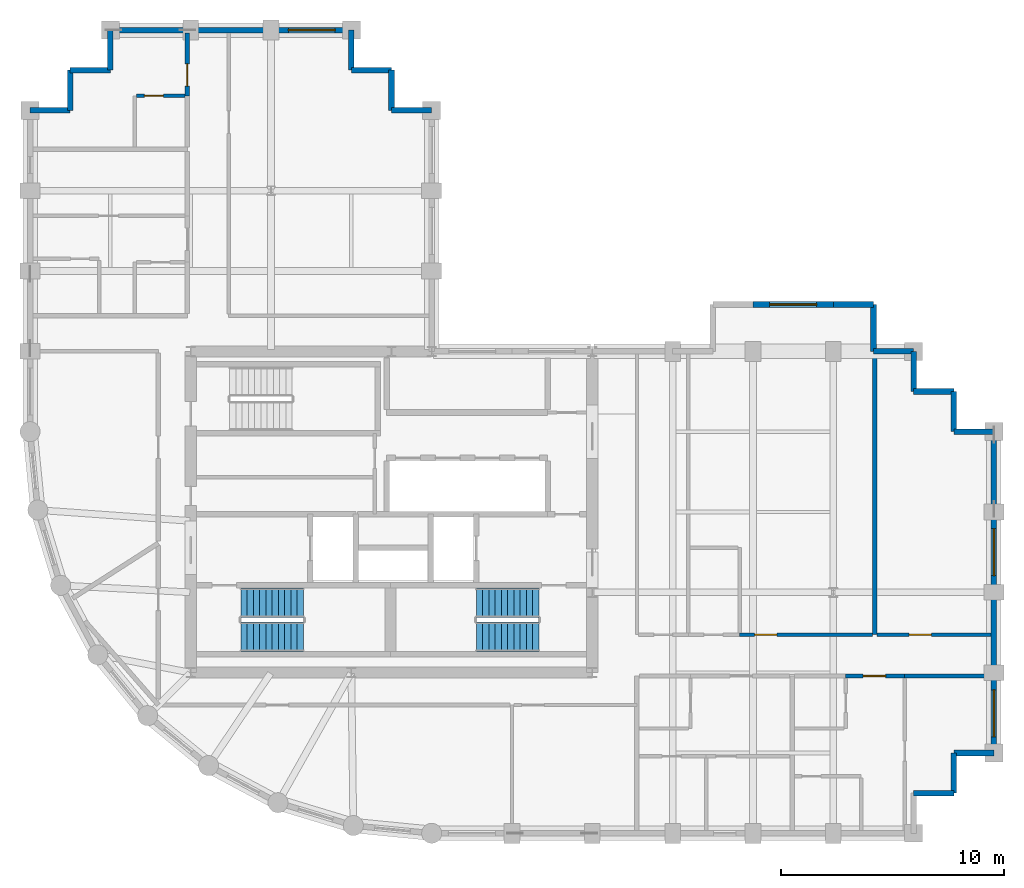
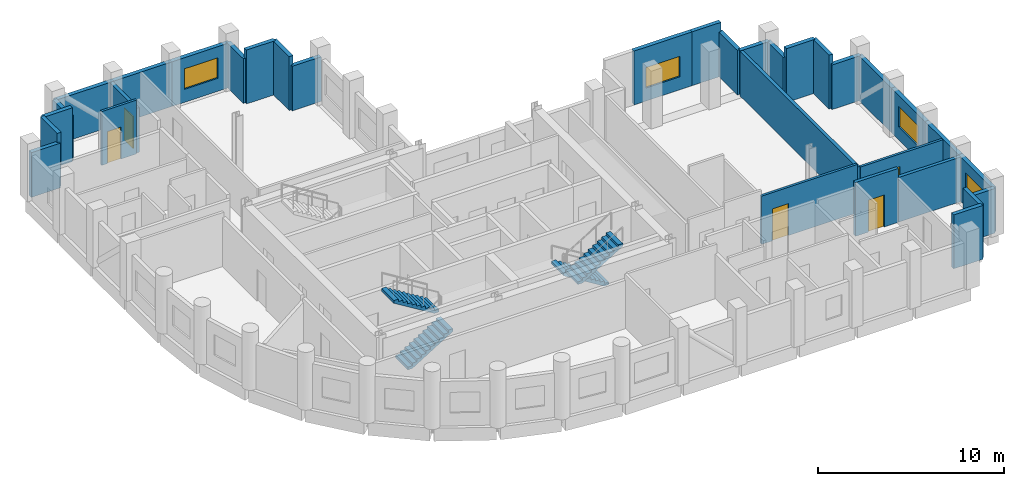
# One storey, part 6 of 8: 33 walls, 5 doors, 4 stair flights, 4 windows, 9 openings, 2 elements without a shape of their own.
"""IFC4 building model written with IfcOpenShell, lengths in metres."""

import ifcopenshell
import ifcopenshell.guid

model = None  # the IFC model being written
_history = None  # IfcOwnerHistory: only IFC2X3 demands one
_inside = {}  # id of a spatial element -> (the spatial element, [elements in it])
_under = {}  # id of a project, library or spatial element -> (it, [spatial elements below it])
_declared = {}  # id of a project -> (the project, [libraries it declares])
_typed = {}  # id of a type object -> (the type object, [elements of that type])
_made_of = {}  # id of a material, layer set ... -> (it, [elements and type objects made of it])


def new_model(schema):
    """Start an empty IFC model of exactly this schema.

    Asked for "IFC4X3", IfcOpenShell would pick the latest addendum, in which some entities
    have other attributes; the version numbers below select the first issue.
    IFC2X3 requires an IfcOwnerHistory on every rooted entity: one is made here for all.
    """
    global model, _history
    if schema == "IFC4X3":
        model = ifcopenshell.file(schema_version=(4, 3, 0, 0))
    else:
        model = ifcopenshell.file(schema=schema)
    _inside.clear()
    _under.clear()
    _declared.clear()
    _typed.clear()
    _made_of.clear()
    _history = None
    if model.schema == "IFC2X3":
        org = make("IfcOrganization", Name="unknown")
        user = make(
            "IfcPersonAndOrganization",
            ThePerson=make("IfcPerson", FamilyName="unknown"),
            TheOrganization=org,
        )
        app = make(
            "IfcApplication",
            ApplicationDeveloper=org,
            Version="unknown",
            ApplicationFullName="unknown",
            ApplicationIdentifier="unknown",
        )
        _history = make(
            "IfcOwnerHistory",
            OwningUser=user,
            OwningApplication=app,
            ChangeAction="ADDED",
            CreationDate=0,
        )
    return model


def make(cls, **values):
    """One entity of the class cls with the attributes given. An attribute that is None is left unset."""
    return model.create_entity(
        cls, **{name: value for name, value in values.items() if value is not None}
    )


def rooted(cls, **values):
    """An entity with a GlobalId (a new one), such as an element, a storey or a relation."""
    return make(cls, GlobalId=ifcopenshell.guid.new(), OwnerHistory=_history, **values)


def si_unit(unit_type, name, prefix=None):
    """IfcSIUnit, for example si_unit("LENGTHUNIT", "METRE", prefix="MILLI")."""
    return make("IfcSIUnit", UnitType=unit_type, Prefix=prefix, Name=name)


def assignment(units):
    """IfcUnitAssignment: the units of a project."""
    return None if units is None else make("IfcUnitAssignment", Units=units)


def point(xyz):
    """IfcCartesianPoint."""
    return None if xyz is None else make("IfcCartesianPoint", Coordinates=xyz)


def direction(xyz):
    """IfcDirection."""
    return None if xyz is None else make("IfcDirection", DirectionRatios=xyz)


def frame(location, z_axis=None, x_axis=None):
    """IfcAxis2Placement3D, a coordinate frame: its origin and axes. An axis left out is left unset."""
    return make(
        "IfcAxis2Placement3D",
        Location=point(location),
        Axis=direction(z_axis),
        RefDirection=direction(x_axis),
    )


def frame_2d(location, x_axis=None):
    """IfcAxis2Placement2D, a coordinate frame in the plane: its origin and x axis."""
    return make(
        "IfcAxis2Placement2D", Location=point(location), RefDirection=direction(x_axis)
    )


def origin():
    """The frame at (0, 0, 0) with its axes left unset."""
    return frame((0.0, 0.0, 0.0))


def place(relative_to, where):
    """IfcLocalPlacement: puts the frame where relative to a parent placement (None: the world)."""
    return make(
        "IfcLocalPlacement", PlacementRelTo=relative_to, RelativePlacement=where
    )


def context(
    kind, dimensions, precision=None, world=None, true_north=None, identifier=None
):
    """IfcGeometricRepresentationContext, for example the 3D "Model" context."""
    return make(
        "IfcGeometricRepresentationContext",
        ContextIdentifier=identifier,
        ContextType=kind,
        CoordinateSpaceDimension=dimensions,
        Precision=precision,
        WorldCoordinateSystem=world,
        TrueNorth=true_north,
    )


def subcontext(parent, identifier, kind, view, scale=None):
    """IfcGeometricRepresentationSubContext, for example "Body" below "Model"."""
    return make(
        "IfcGeometricRepresentationSubContext",
        ContextIdentifier=identifier,
        ContextType=kind,
        ParentContext=parent,
        TargetScale=scale,
        TargetView=view,
    )


def project(units=None, contexts=None):
    """IfcProject with its units and contexts."""
    return rooted(
        "IfcProject",
        Name="project",
        RepresentationContexts=contexts,
        UnitsInContext=assignment(units),
    )


def spatial(cls, under=None, at=None, **own):
    """A site, building, storey or space (cls), placed at a placement, below another one or the project."""
    s = rooted(cls, ObjectPlacement=at, **own)
    if under is not None:
        _under.setdefault(under.id(), (under, []))[1].append(s)
    return s


def polyline(points):
    """IfcPolyline through the points."""
    return make("IfcPolyline", Points=[point(p) for p in points])


def profile(cls, at=None, kind="AREA", **sizes):
    """A parametric profile (cls). Its sizes go by their IFC names, for example OverallWidth=200.0."""
    return make(cls, ProfileType=kind, Position=at, **sizes)


def rectangle(**sizes):
    """IfcRectangleProfileDef."""
    return profile("IfcRectangleProfileDef", **sizes)


def outline(outer, holes=None, kind="AREA"):
    """IfcArbitraryClosedProfileDef: a profile drawn as a closed curve; with holes, ...WithVoids."""
    if holes is None:
        return make("IfcArbitraryClosedProfileDef", ProfileType=kind, OuterCurve=outer)
    return make(
        "IfcArbitraryProfileDefWithVoids",
        ProfileType=kind,
        OuterCurve=outer,
        InnerCurves=holes,
    )


def extrude(swept, where, along, depth):
    """IfcExtrudedAreaSolid: the profile swept, set in the frame where, extruded along a direction by depth."""
    return make(
        "IfcExtrudedAreaSolid",
        SweptArea=swept,
        Position=where,
        ExtrudedDirection=direction(along),
        Depth=depth,
    )


def shape(context_of_items, identifier, shape_type, items):
    """IfcShapeRepresentation: the items that make up one representation, for example the "Body"."""
    return make(
        "IfcShapeRepresentation",
        ContextOfItems=context_of_items,
        RepresentationIdentifier=identifier,
        RepresentationType=shape_type,
        Items=items,
    )


def material(Name=None, Category=None):
    """IfcMaterial."""
    return make("IfcMaterial", Name=Name, Category=Category)


def layer(
    of_material, thickness, ventilated=None, Name=None, Category=None, Priority=None
):
    """IfcMaterialLayer: one layer of a wall or slab, of a material (None: an air gap)."""
    return make(
        "IfcMaterialLayer",
        Material=of_material,
        LayerThickness=thickness,
        IsVentilated=ventilated,
        Name=Name,
        Category=Category,
        Priority=Priority,
    )


def layer_set(layers, Name=None):
    """IfcMaterialLayerSet."""
    return make("IfcMaterialLayerSet", MaterialLayers=layers, LayerSetName=Name)


def made_of(thing, what):
    """Note that an element or type object is made of a material, layer set ...; save() writes the relation."""
    if what is not None:
        _made_of.setdefault(what.id(), (what, []))[1].append(thing)
    return thing


def type_object(cls, material=None, **own):
    """A type object (cls), such as IfcWallType, which elements share."""
    return made_of(rooted(cls, **own), material)


def element(
    cls,
    number,
    at=None,
    inside=None,
    cuts=None,
    type_object=None,
    material=None,
    context=None,
    identifier="Body",
    shape_type=None,
    held_by="IfcProductDefinitionShape",
    body=None,
    shapes=None,
    **own,
):
    """One element of the class cls, such as IfcWall. Its Tag is "e" and its number.

    at: its placement. inside: the storey or other place that contains it. cuts: it is an
    opening in that element (IfcRelVoidsElement). A single representation is given by context,
    identifier, shape_type and body (its items); several are given by shapes. held_by: the class
    of the entity that holds the representations. save() writes the other relations.
    """
    e = rooted(cls, Tag="e%d" % number, ObjectPlacement=at, **own)
    if body is not None:
        shapes = [shape(context, identifier, shape_type, body)]
    if shapes is not None:
        e.Representation = make(held_by, Representations=shapes)
    if inside is not None:
        _inside.setdefault(inside.id(), (inside, []))[1].append(e)
    if cuts is not None:
        rooted(
            "IfcRelVoidsElement", RelatingBuildingElement=cuts, RelatedOpeningElement=e
        )
    if type_object is not None:
        _typed.setdefault(type_object.id(), (type_object, []))[1].append(e)
    return made_of(e, material)


def fill(opening, filler):
    """IfcRelFillsElement: the door or window that sits in an opening."""
    return rooted(
        "IfcRelFillsElement",
        RelatingOpeningElement=opening,
        RelatedBuildingElement=filler,
    )


def aggregate(whole, parts):
    """IfcRelAggregates: a whole, such as a stair, and the parts it consists of."""
    return rooted("IfcRelAggregates", RelatingObject=whole, RelatedObjects=parts)


def save(model, path):
    """Write the relations noted so far, then the file.

    IfcRelAggregates (storeys below a building ...), IfcRelContainedInSpatialStructure (elements
    in a storey), IfcRelDefinesByType, IfcRelAssociatesMaterial and IfcRelDeclares: one each for
    every whole, place, type object, material and project.
    """
    for whole, parts in _under.values():
        aggregate(whole, parts)
    for where, things in _inside.values():
        rooted(
            "IfcRelContainedInSpatialStructure",
            RelatedElements=things,
            RelatingStructure=where,
        )
    for kind, things in _typed.values():
        rooted("IfcRelDefinesByType", RelatedObjects=things, RelatingType=kind)
    for what, things in _made_of.values():
        rooted("IfcRelAssociatesMaterial", RelatedObjects=things, RelatingMaterial=what)
    for by, libraries in _declared.values():
        rooted("IfcRelDeclares", RelatingContext=by, RelatedDefinitions=libraries)
    model.write(path)


model = new_model("IFC4")

# Units and contexts
model_context = context("Model", 3, precision=1e-05, world=origin(), true_north=direction((0.0, 1.0)))
body_context = subcontext(model_context, "Body", "Model", "MODEL_VIEW")
ifc_project = project(units=[si_unit("LENGTHUNIT", "METRE"), si_unit("AREAUNIT", "SQUARE_METRE"), si_unit("VOLUMEUNIT", "CUBIC_METRE"), si_unit("PLANEANGLEUNIT", "RADIAN"), si_unit("MASSUNIT", "GRAM", prefix="KILO")], contexts=[model_context])

# Site, building, storey
site_placement = place(None, origin())
site = spatial("IfcSite", under=ifc_project, at=site_placement, CompositionType="ELEMENT")
building_placement = place(site_placement, origin())
building = spatial("IfcBuilding", under=site, at=building_placement, Name="Solnavia Interchange Tower", CompositionType="ELEMENT")
storey_placement = place(building_placement, frame((0.0, 0.0, 186.199951171875)))
storey = spatial("IfcBuildingStorey", under=building, at=storey_placement, Name="L46", CompositionType="ELEMENT", Elevation=186.199951171875)

# Wall, opening, door
ifc_material_1 = material(Name="Gypsum Acoustic Twin-Stud & Mineral Wool", Category="gypsum")
ifc_layer_1 = layer(ifc_material_1, 0.199951171875)
ifc_layer_set_1 = layer_set([ifc_layer_1], Name="Gypsum Acoustic Twin-Stud & Mineral Wool")
wall_type_1 = type_object("IfcWallType", Name="Wall-ApartmentParty-200", PredefinedType="PARTITIONING", material=ifc_layer_set_1)
wall_1_placement = place(storey_placement, frame((43.75, 10.64990234375, 0.0), z_axis=(0.0, 0.0, 1.0), x_axis=(1.0, 0.0, 0.0)))
wall_1 = element("IfcWall", 1, at=wall_1_placement, inside=storey, type_object=wall_type_1, Name="PTW-L46-27 Interior partition wall", PredefinedType="PARTITIONING", context=body_context, shape_type="SweptSolid", body=[
    extrude(rectangle(XDim=2.64990234375, YDim=0.199951171875, at=frame_2d((1.324951171875, 0.0))), origin(), (0.0, 0.0, 1.0), 3.53515625),
])
opening_1_placement = place(wall_1_placement, frame((0.7890625, 0.0, 0.0)))
opening_1 = element("IfcOpeningElement", 2, at=opening_1_placement, cuts=wall_1, Name="Opening DR-06", PredefinedType="OPENING", context=body_context, shape_type="SweptSolid", body=[
    extrude(rectangle(XDim=1.0, YDim=2.10009765625, at=frame_2d((0.5, 1.050048828125))), frame((0.0, 0.10986328125, 0.0), z_axis=(0.0, -1.0, 0.0), x_axis=(1.0, 0.0, 0.0)), (0.0, 0.0, 1.0), 0.219970703125),
])
ifc_material_2 = material(Name="Engineered Timber Acoustic Fire Door", Category="wood")
door_type_1 = type_object("IfcDoorType", Name="Door-FlatEntry-1000x2100", OperationType="SINGLE_SWING_LEFT", PredefinedType="DOOR", material=ifc_material_2)
door_1_placement = place(opening_1_placement, origin())
door_1 = element("IfcDoor", 3, at=door_1_placement, inside=storey, type_object=door_type_1, Name="DR-L46-12 Interior room door", OperationType="SINGLE_SWING_LEFT", OverallHeight=2.10009765625, OverallWidth=1.0, PredefinedType="DOOR", context=body_context, shape_type="SweptSolid", body=[
    extrude(rectangle(XDim=1.0, YDim=2.10009765625, at=frame_2d((0.5, 1.050048828125))), frame((0.0, 0.02490234375, 0.0), z_axis=(0.0, -1.0, 0.0), x_axis=(1.0, 0.0, 0.0)), (0.0, 0.0, 1.0), 0.050048828125),
])
fill(opening_1, door_1)

# Walls
wall_2_placement = place(storey_placement, frame((46.39990234375, 10.64990234375, 0.0), z_axis=(0.0, 0.0, 1.0), x_axis=(1.0, 0.0, 0.0)))
element("IfcWall", 4, at=wall_2_placement, inside=storey, type_object=wall_type_1, Name="PTW-L46-28 Interior partition wall", PredefinedType="PARTITIONING", context=body_context, shape_type="SweptSolid", body=[
    extrude(rectangle(XDim=3.87109375, YDim=0.199951171875, at=frame_2d((1.935546875, 0.0))), origin(), (0.0, 0.0, 1.0), 2.929931640625),
])
wall_3_placement = place(storey_placement, frame((45.050048828125, 12.5, 0.0), z_axis=(0.0, 0.0, 1.0), x_axis=(0.0, 1.0, 0.0)))
element("IfcWall", 5, at=wall_3_placement, inside=storey, type_object=wall_type_1, Name="PTW-L46-32 Interior partition wall", PredefinedType="PARTITIONING", context=body_context, shape_type="SweptSolid", body=[
    extrude(rectangle(XDim=12.571044921875, YDim=0.199951171875, at=frame_2d((6.28564453125, 0.0))), origin(), (0.0, 0.0, 1.0), 2.929931640625),
])

# Wall, opening, door
wall_4_placement = place(storey_placement, frame((14.25, 36.64990234375, 0.0), z_axis=(0.0, 0.0, 1.0), x_axis=(0.0, 1.0, 0.0)))
wall_4 = element("IfcWall", 6, at=wall_4_placement, inside=storey, type_object=wall_type_1, Name="PTW-L46-48 Interior partition wall", PredefinedType="PARTITIONING", context=body_context, shape_type="SweptSolid", body=[
    extrude(rectangle(XDim=2.821044921875, YDim=0.199951171875, at=frame_2d((1.41064453125, 0.0))), origin(), (0.0, 0.0, 1.0), 2.929931640625),
])
opening_2_placement = place(wall_4_placement, frame((0.43701171875, 0.0, 0.0)))
opening_2 = element("IfcOpeningElement", 7, at=opening_2_placement, cuts=wall_4, Name="Opening DR-06", PredefinedType="OPENING", context=body_context, shape_type="SweptSolid", body=[
    extrude(rectangle(XDim=1.0, YDim=2.10009765625, at=frame_2d((0.5, 1.050048828125))), frame((0.0, 0.10986328125, 0.0), z_axis=(0.0, -1.0, 0.0), x_axis=(1.0, 0.0, 0.0)), (0.0, 0.0, 1.0), 0.219970703125),
])
door_2_placement = place(opening_2_placement, origin())
door_2 = element("IfcDoor", 8, at=door_2_placement, inside=storey, type_object=door_type_1, Name="DR-L46-22 Interior room door", OperationType="SINGLE_SWING_LEFT", OverallHeight=2.10009765625, OverallWidth=1.0, PredefinedType="DOOR", context=body_context, shape_type="SweptSolid", body=[
    extrude(rectangle(XDim=1.0, YDim=2.10009765625, at=frame_2d((0.5, 1.050048828125))), frame((0.0, 0.02490234375, 0.0), z_axis=(0.0, -1.0, 0.0), x_axis=(1.0, 0.0, 0.0)), (0.0, 0.0, 1.0), 0.050048828125),
])
fill(opening_2, door_2)

# Walls
ifc_material_3 = material(Name="Concrete C40/50", Category="concrete")
ifc_layer_2 = layer(ifc_material_3, 0.25)
ifc_layer_set_2 = layer_set([ifc_layer_2], Name="Concrete C40/50")
wall_type_2 = type_object("IfcWallType", Name="Wall-ExtSpandrel-250", PredefinedType="STANDARD", material=ifc_layer_set_2)
for number, where, z_axis, x_axis, name in (
    (9, (48.60009765625, 5.39990234375, 0.0), (0.0, 0.0, 1.0), (-1.0, 0.0, 0.0), "EXW-L46-08 Exterior precast spandrel wall"),
    (10, (48.60009765625, 7.199951171875, 0.0), (0.0, 0.0, 1.0), (0.0, -1.0, 0.0), "EXW-L46-09 Exterior precast spandrel wall"),
):
    element("IfcWall", number, at=place(storey_placement, frame(where, z_axis=z_axis, x_axis=x_axis)), inside=storey, type_object=wall_type_2, Name=name, PredefinedType="STANDARD", context=body_context, shape_type="SweptSolid", body=[
        extrude(rectangle(XDim=1.800048828125, YDim=0.25, at=frame_2d((0.89990234375, 0.0))), origin(), (0.0, 0.0, 1.0), 3.53515625),
    ])
wall_5_placement = place(storey_placement, frame((50.39990234375, 7.199951171875, 0.0), z_axis=(0.0, 0.0, 1.0), x_axis=(-1.0, 0.0, 0.0)))
element("IfcWall", 11, at=wall_5_placement, inside=storey, type_object=wall_type_2, Name="EXW-L46-10 Exterior precast spandrel wall", PredefinedType="STANDARD", context=body_context, shape_type="SweptSolid", body=[
    extrude(rectangle(XDim=1.7998046875, YDim=0.25, at=frame_2d((0.89990234375, 0.0))), origin(), (0.0, 0.0, 1.0), 2.929931640625),
])

# Wall, opening, window
wall_6_placement = place(storey_placement, frame((50.39990234375, 10.800048828125, 0.0), z_axis=(0.0, 0.0, 1.0), x_axis=(0.0, -1.0, 0.0)))
wall_6 = element("IfcWall", 12, at=wall_6_placement, inside=storey, type_object=wall_type_2, Name="EXW-L46-11 Exterior precast spandrel wall", PredefinedType="STANDARD", context=body_context, shape_type="SweptSolid", body=[
    extrude(rectangle(XDim=3.60009765625, YDim=0.25, at=frame_2d((1.800048828125, 0.0))), origin(), (0.0, 0.0, 1.0), 2.929931640625),
])
opening_3_placement = place(wall_6_placement, frame((0.77490234375, 0.0, 0.85009765625)))
opening_3 = element("IfcOpeningElement", 13, at=opening_3_placement, cuts=wall_6, Name="Opening WIN-01", PredefinedType="OPENING", context=body_context, shape_type="SweptSolid", body=[
    extrude(rectangle(XDim=2.10009765625, YDim=1.35009765625, at=frame_2d((1.050048828125, 0.675048828125))), frame((0.0, 0.135009765625, 0.0), z_axis=(0.0, -1.0, 0.0), x_axis=(1.0, 0.0, 0.0)), (0.0, 0.0, 1.0), 0.27001953125),
])
ifc_material_4 = material(Name="Thermal-Break Aluminium & Low-E Glass", Category="aluminium")
window_type = type_object("IfcWindowType", Name="Window-Ribbon-2100x1350", PartitioningType="SINGLE_PANEL", PredefinedType="WINDOW", material=ifc_material_4)
window_1_placement = place(opening_3_placement, origin())
window_1 = element("IfcWindow", 14, at=window_1_placement, inside=storey, type_object=window_type, Name="WIN-L46-11 Facade ribbon window", OverallHeight=1.35009765625, OverallWidth=2.10009765625, PartitioningType="SINGLE_PANEL", PredefinedType="WINDOW", context=body_context, shape_type="SweptSolid", body=[
    extrude(rectangle(XDim=2.10009765625, YDim=1.35009765625, at=frame_2d((1.050048828125, 0.675048828125))), frame((0.0, 0.030029296875, 0.0), z_axis=(0.0, -1.0, 0.0), x_axis=(1.0, 0.0, 0.0)), (0.0, 0.0, 1.0), 0.06005859375),
])
fill(opening_3, window_1)

# Wall
wall_7_placement = place(storey_placement, frame((50.39990234375, 14.39990234375, 0.0), z_axis=(0.0, 0.0, 1.0), x_axis=(0.0, -1.0, 0.0)))
element("IfcWall", 15, at=wall_7_placement, inside=storey, type_object=wall_type_2, Name="EXW-L46-12 Exterior precast spandrel wall", PredefinedType="STANDARD", context=body_context, shape_type="SweptSolid", body=[
    extrude(rectangle(XDim=3.599853515625, YDim=0.25, at=frame_2d((1.7998046875, 0.0))), origin(), (0.0, 0.0, 1.0), 2.929931640625),
])

# Wall, opening, window
wall_8_placement = place(storey_placement, frame((50.39990234375, 18.0, 0.0), z_axis=(0.0, 0.0, 1.0), x_axis=(0.0, -1.0, 0.0)))
wall_8 = element("IfcWall", 16, at=wall_8_placement, inside=storey, type_object=wall_type_2, Name="EXW-L46-13 Exterior precast spandrel wall", PredefinedType="STANDARD", context=body_context, shape_type="SweptSolid", body=[
    extrude(rectangle(XDim=3.60009765625, YDim=0.25, at=frame_2d((1.800048828125, 0.0))), origin(), (0.0, 0.0, 1.0), 2.929931640625),
])
opening_4_placement = place(wall_8_placement, frame((0.75, 0.0, 0.85009765625)))
opening_4 = element("IfcOpeningElement", 17, at=opening_4_placement, cuts=wall_8, Name="Opening WIN-01", PredefinedType="OPENING", context=body_context, shape_type="SweptSolid", body=[
    extrude(rectangle(XDim=2.10009765625, YDim=1.35009765625, at=frame_2d((1.050048828125, 0.675048828125))), frame((0.0, 0.135009765625, 0.0), z_axis=(0.0, -1.0, 0.0), x_axis=(1.0, 0.0, 0.0)), (0.0, 0.0, 1.0), 0.27001953125),
])
window_2_placement = place(opening_4_placement, origin())
window_2 = element("IfcWindow", 18, at=window_2_placement, inside=storey, type_object=window_type, Name="WIN-L46-13 Facade ribbon window", OverallHeight=1.35009765625, OverallWidth=2.10009765625, PartitioningType="SINGLE_PANEL", PredefinedType="WINDOW", context=body_context, shape_type="SweptSolid", body=[
    extrude(rectangle(XDim=2.10009765625, YDim=1.35009765625, at=frame_2d((1.050048828125, 0.675048828125))), frame((0.0, 0.030029296875, 0.0), z_axis=(0.0, -1.0, 0.0), x_axis=(1.0, 0.0, 0.0)), (0.0, 0.0, 1.0), 0.06005859375),
])
fill(opening_4, window_2)

# Walls
wall_9_placement = place(storey_placement, frame((50.39990234375, 21.60009765625, 0.0), z_axis=(0.0, 0.0, 1.0), x_axis=(0.0, -1.0, 0.0)))
element("IfcWall", 19, at=wall_9_placement, inside=storey, type_object=wall_type_2, Name="EXW-L46-14 Exterior precast spandrel wall", PredefinedType="STANDARD", context=body_context, shape_type="SweptSolid", body=[
    extrude(rectangle(XDim=3.60009765625, YDim=0.25, at=frame_2d((1.800048828125, 0.0))), origin(), (0.0, 0.0, 1.0), 2.929931640625),
])
wall_10_placement = place(storey_placement, frame((48.60009765625, 21.60009765625, 0.0), z_axis=(0.0, 0.0, 1.0), x_axis=(1.0, 0.0, 0.0)))
element("IfcWall", 20, at=wall_10_placement, inside=storey, type_object=wall_type_2, Name="EXW-L46-15 Exterior precast spandrel wall", PredefinedType="STANDARD", context=body_context, shape_type="SweptSolid", body=[
    extrude(rectangle(XDim=1.7998046875, YDim=0.25, at=frame_2d((0.89990234375, 0.0))), origin(), (0.0, 0.0, 1.0), 2.929931640625),
])
wall_11_placement = place(storey_placement, frame((48.60009765625, 23.39990234375, 0.0), z_axis=(0.0, 0.0, 1.0), x_axis=(0.0, -1.0, 0.0)))
element("IfcWall", 21, at=wall_11_placement, inside=storey, type_object=wall_type_2, Name="EXW-L46-16 Exterior precast spandrel wall", PredefinedType="STANDARD", context=body_context, shape_type="SweptSolid", body=[
    extrude(rectangle(XDim=1.7998046875, YDim=0.25, at=frame_2d((0.89990234375, 0.0))), origin(), (0.0, 0.0, 1.0), 3.53515625),
])
wall_12_placement = place(storey_placement, frame((46.800048828125, 23.39990234375, 0.0), z_axis=(0.0, 0.0, 1.0), x_axis=(1.0, 0.0, 0.0)))
element("IfcWall", 22, at=wall_12_placement, inside=storey, type_object=wall_type_2, Name="EXW-L46-17 Exterior precast spandrel wall", PredefinedType="STANDARD", context=body_context, shape_type="SweptSolid", body=[
    extrude(rectangle(XDim=1.800048828125, YDim=0.25, at=frame_2d((0.89990234375, 0.0))), origin(), (0.0, 0.0, 1.0), 3.53515625),
])
for number, where, z_axis, x_axis, name in (
    (23, (46.800048828125, 25.199951171875, 0.0), (0.0, 0.0, 1.0), (0.0, -1.0, 0.0), "EXW-L46-18 Exterior precast spandrel wall"),
    (24, (45.0, 25.199951171875, 0.0), (0.0, 0.0, 1.0), (1.0, 0.0, 0.0), "EXW-L46-19 Exterior precast spandrel wall"),
):
    element("IfcWall", number, at=place(storey_placement, frame(where, z_axis=z_axis, x_axis=x_axis)), inside=storey, type_object=wall_type_2, Name=name, PredefinedType="STANDARD", context=body_context, shape_type="SweptSolid", body=[
        extrude(rectangle(XDim=1.800048828125, YDim=0.25, at=frame_2d((0.89990234375, 0.0))), origin(), (0.0, 0.0, 1.0), 2.929931640625),
    ])
wall_13_placement = place(storey_placement, frame((45.0, 27.300048828125, 0.0), z_axis=(0.0, 0.0, 1.0), x_axis=(0.0, -1.0, 0.0)))
element("IfcWall", 25, at=wall_13_placement, inside=storey, type_object=wall_type_2, Name="EXW-L46-20 Exterior precast spandrel wall", PredefinedType="STANDARD", context=body_context, shape_type="SweptSolid", body=[
    extrude(rectangle(XDim=2.10009765625, YDim=0.25, at=frame_2d((1.050048828125, 0.0))), origin(), (0.0, 0.0, 1.0), 2.929931640625),
])
wall_14_placement = place(storey_placement, frame((43.199951171875, 27.300048828125, 0.0), z_axis=(0.0, 0.0, 1.0), x_axis=(1.0, 0.0, 0.0)))
element("IfcWall", 26, at=wall_14_placement, inside=storey, type_object=wall_type_2, Name="EXW-L46-21 Exterior precast spandrel wall", PredefinedType="STANDARD", context=body_context, shape_type="SweptSolid", body=[
    extrude(rectangle(XDim=1.800048828125, YDim=0.25, at=frame_2d((0.89990234375, 0.0))), origin(), (0.0, 0.0, 1.0), 3.53515625),
])

# Wall, opening, window
wall_15_placement = place(storey_placement, frame((39.60009765625, 27.300048828125, 0.0), z_axis=(0.0, 0.0, 1.0), x_axis=(1.0, 0.0, 0.0)))
wall_15 = element("IfcWall", 27, at=wall_15_placement, inside=storey, type_object=wall_type_2, Name="EXW-L46-22 Exterior precast spandrel wall", PredefinedType="STANDARD", context=body_context, shape_type="SweptSolid", body=[
    extrude(rectangle(XDim=3.599853515625, YDim=0.25, at=frame_2d((1.7998046875, 0.0))), origin(), (0.0, 0.0, 1.0), 3.53515625),
])
opening_5_placement = place(wall_15_placement, frame((0.75, 0.0, 0.85009765625)))
opening_5 = element("IfcOpeningElement", 28, at=opening_5_placement, cuts=wall_15, Name="Opening WIN-01", PredefinedType="OPENING", context=body_context, shape_type="SweptSolid", body=[
    extrude(rectangle(XDim=2.10009765625, YDim=1.35009765625, at=frame_2d((1.050048828125, 0.675048828125))), frame((0.0, 0.135009765625, 0.0), z_axis=(0.0, -1.0, 0.0), x_axis=(1.0, 0.0, 0.0)), (0.0, 0.0, 1.0), 0.27001953125),
])
window_3_placement = place(opening_5_placement, origin())
window_3 = element("IfcWindow", 29, at=window_3_placement, inside=storey, type_object=window_type, Name="WIN-L46-22 Facade ribbon window", OverallHeight=1.35009765625, OverallWidth=2.10009765625, PartitioningType="SINGLE_PANEL", PredefinedType="WINDOW", context=body_context, shape_type="SweptSolid", body=[
    extrude(rectangle(XDim=2.10009765625, YDim=1.35009765625, at=frame_2d((1.050048828125, 0.675048828125))), frame((0.0, 0.030029296875, 0.0), z_axis=(0.0, -1.0, 0.0), x_axis=(1.0, 0.0, 0.0)), (0.0, 0.0, 1.0), 0.06005859375),
])
fill(opening_5, window_3)

# Walls
wall_16_placement = place(storey_placement, frame((23.39990234375, 36.0, 0.0), z_axis=(0.0, 0.0, 1.0), x_axis=(1.0, 0.0, 0.0)))
element("IfcWall", 30, at=wall_16_placement, inside=storey, type_object=wall_type_2, Name="EXW-L46-32 Exterior precast spandrel wall", PredefinedType="STANDARD", context=body_context, shape_type="SweptSolid", body=[
    extrude(rectangle(XDim=1.800048828125, YDim=0.25, at=frame_2d((0.89990234375, 0.0))), origin(), (0.0, 0.0, 1.0), 2.929931640625),
])
wall_17_placement = place(storey_placement, frame((23.39990234375, 36.0, 0.0), z_axis=(0.0, 0.0, 1.0), x_axis=(0.0, 1.0, 0.0)))
element("IfcWall", 31, at=wall_17_placement, inside=storey, type_object=wall_type_2, Name="EXW-L46-33 Exterior precast spandrel wall", PredefinedType="STANDARD", context=body_context, shape_type="SweptSolid", body=[
    extrude(rectangle(XDim=1.800048828125, YDim=0.25, at=frame_2d((0.89990234375, 0.0))), origin(), (0.0, 0.0, 1.0), 3.53515625),
])
wall_18_placement = place(storey_placement, frame((21.60009765625, 37.800048828125, 0.0), z_axis=(0.0, 0.0, 1.0), x_axis=(1.0, 0.0, 0.0)))
element("IfcWall", 32, at=wall_18_placement, inside=storey, type_object=wall_type_2, Name="EXW-L46-34 Exterior precast spandrel wall", PredefinedType="STANDARD", context=body_context, shape_type="SweptSolid", body=[
    extrude(rectangle(XDim=1.7998046875, YDim=0.25, at=frame_2d((0.89990234375, 0.0))), origin(), (0.0, 0.0, 1.0), 3.53515625),
])
wall_19_placement = place(storey_placement, frame((21.60009765625, 37.800048828125, 0.0), z_axis=(0.0, 0.0, 1.0), x_axis=(0.0, 1.0, 0.0)))
element("IfcWall", 33, at=wall_19_placement, inside=storey, type_object=wall_type_2, Name="EXW-L46-35 Exterior precast spandrel wall", PredefinedType="STANDARD", context=body_context, shape_type="SweptSolid", body=[
    extrude(rectangle(XDim=1.800048828125, YDim=0.25, at=frame_2d((0.89990234375, 0.0))), origin(), (0.0, 0.0, 1.0), 2.929931640625),
])

# Wall, opening, window
wall_20_placement = place(storey_placement, frame((18.0, 39.60009765625, 0.0), z_axis=(0.0, 0.0, 1.0), x_axis=(1.0, 0.0, 0.0)))
wall_20 = element("IfcWall", 34, at=wall_20_placement, inside=storey, type_object=wall_type_2, Name="EXW-L46-36 Exterior precast spandrel wall", PredefinedType="STANDARD", context=body_context, shape_type="SweptSolid", body=[
    extrude(rectangle(XDim=3.60009765625, YDim=0.25, at=frame_2d((1.800048828125, 0.0))), origin(), (0.0, 0.0, 1.0), 2.929931640625),
])
opening_6_placement = place(wall_20_placement, frame((0.77490234375, 0.0, 0.85009765625)))
opening_6 = element("IfcOpeningElement", 35, at=opening_6_placement, cuts=wall_20, Name="Opening WIN-01", PredefinedType="OPENING", context=body_context, shape_type="SweptSolid", body=[
    extrude(rectangle(XDim=2.10009765625, YDim=1.35009765625, at=frame_2d((1.050048828125, 0.675048828125))), frame((0.0, 0.135009765625, 0.0), z_axis=(0.0, -1.0, 0.0), x_axis=(1.0, 0.0, 0.0)), (0.0, 0.0, 1.0), 0.27001953125),
])
window_4_placement = place(opening_6_placement, origin())
window_4 = element("IfcWindow", 36, at=window_4_placement, inside=storey, type_object=window_type, Name="WIN-L46-36 Facade ribbon window", OverallHeight=1.35009765625, OverallWidth=2.10009765625, PartitioningType="SINGLE_PANEL", PredefinedType="WINDOW", context=body_context, shape_type="SweptSolid", body=[
    extrude(rectangle(XDim=2.10009765625, YDim=1.35009765625, at=frame_2d((1.050048828125, 0.675048828125))), frame((0.0, 0.030029296875, 0.0), z_axis=(0.0, -1.0, 0.0), x_axis=(1.0, 0.0, 0.0)), (0.0, 0.0, 1.0), 0.06005859375),
])
fill(opening_6, window_4)

# Walls
wall_21_placement = place(storey_placement, frame((14.39990234375, 39.60009765625, 0.0), z_axis=(0.0, 0.0, 1.0), x_axis=(1.0, 0.0, 0.0)))
element("IfcWall", 37, at=wall_21_placement, inside=storey, type_object=wall_type_2, Name="EXW-L46-37 Exterior precast spandrel wall", PredefinedType="STANDARD", context=body_context, shape_type="SweptSolid", body=[
    extrude(rectangle(XDim=3.60009765625, YDim=0.25, at=frame_2d((1.800048828125, 0.0))), origin(), (0.0, 0.0, 1.0), 2.929931640625),
])
wall_22_placement = place(storey_placement, frame((10.800048828125, 39.60009765625, 0.0), z_axis=(0.0, 0.0, 1.0), x_axis=(1.0, 0.0, 0.0)))
element("IfcWall", 38, at=wall_22_placement, inside=storey, type_object=wall_type_2, Name="EXW-L46-38 Exterior precast spandrel wall", PredefinedType="STANDARD", context=body_context, shape_type="SweptSolid", body=[
    extrude(rectangle(XDim=3.599853515625, YDim=0.25, at=frame_2d((1.7998046875, 0.0))), origin(), (0.0, 0.0, 1.0), 2.929931640625),
])
wall_23_placement = place(storey_placement, frame((10.800048828125, 37.800048828125, 0.0), z_axis=(0.0, 0.0, 1.0), x_axis=(0.0, 1.0, 0.0)))
element("IfcWall", 39, at=wall_23_placement, inside=storey, type_object=wall_type_2, Name="EXW-L46-39 Exterior precast spandrel wall", PredefinedType="STANDARD", context=body_context, shape_type="SweptSolid", body=[
    extrude(rectangle(XDim=1.800048828125, YDim=0.25, at=frame_2d((0.89990234375, 0.0))), origin(), (0.0, 0.0, 1.0), 2.929931640625),
])
for number, where, z_axis, x_axis, name in (
    (40, (9.0, 37.800048828125, 0.0), (0.0, 0.0, 1.0), (1.0, 0.0, 0.0), "EXW-L46-40 Exterior precast spandrel wall"),
    (41, (9.0, 36.0, 0.0), (0.0, 0.0, 1.0), (0.0, 1.0, 0.0), "EXW-L46-41 Exterior precast spandrel wall"),
):
    element("IfcWall", number, at=place(storey_placement, frame(where, z_axis=z_axis, x_axis=x_axis)), inside=storey, type_object=wall_type_2, Name=name, PredefinedType="STANDARD", context=body_context, shape_type="SweptSolid", body=[
        extrude(rectangle(XDim=1.800048828125, YDim=0.25, at=frame_2d((0.89990234375, 0.0))), origin(), (0.0, 0.0, 1.0), 3.53515625),
    ])
wall_24_placement = place(storey_placement, frame((7.199951171875, 36.0, 0.0), z_axis=(0.0, 0.0, 1.0), x_axis=(1.0, 0.0, 0.0)))
element("IfcWall", 42, at=wall_24_placement, inside=storey, type_object=wall_type_2, Name="EXW-L46-42 Exterior precast spandrel wall", PredefinedType="STANDARD", context=body_context, shape_type="SweptSolid", body=[
    extrude(rectangle(XDim=1.800048828125, YDim=0.25, at=frame_2d((0.89990234375, 0.0))), origin(), (0.0, 0.0, 1.0), 2.929931640625),
])

# Wall, opening, door
ifc_material_5 = material(Name="Gypsum Plasterboard & Steel Stud", Category="steel")
ifc_layer_3 = layer(ifc_material_5, 0.14990234375)
ifc_layer_set_3 = layer_set([ifc_layer_3], Name="Gypsum Plasterboard & Steel Stud")
wall_type_3 = type_object("IfcWallType", Name="Wall-Partition-150", PredefinedType="PARTITIONING", material=ifc_layer_set_3)
wall_25_placement = place(storey_placement, frame((39.0, 12.5, 0.0), z_axis=(0.0, 0.0, 1.0), x_axis=(1.0, 0.0, 0.0)))
wall_25 = element("IfcWall", 43, at=wall_25_placement, inside=storey, type_object=wall_type_3, Name="PTW-L46-33 Interior partition wall", PredefinedType="PARTITIONING", context=body_context, shape_type="SweptSolid", body=[
    extrude(rectangle(XDim=5.946044921875, YDim=0.14990234375, at=frame_2d((2.97314453125, 0.0))), origin(), (0.0, 0.0, 1.0), 3.170166015625),
])
opening_7_placement = place(wall_25_placement, frame((0.675048828125, 0.0, 0.0)))
opening_7 = element("IfcOpeningElement", 44, at=opening_7_placement, cuts=wall_25, Name="Opening DR-07", PredefinedType="OPENING", context=body_context, shape_type="SweptSolid", body=[
    extrude(rectangle(XDim=1.0, YDim=2.10009765625, at=frame_2d((0.5, 1.050048828125))), frame((0.0, 0.0849609375, 0.0), z_axis=(0.0, -1.0, 0.0), x_axis=(1.0, 0.0, 0.0)), (0.0, 0.0, 1.0), 0.169921875),
])
ifc_material_6 = material(Name="Timber & Acoustic Glazed Office Door", Category="wood")
door_type_2 = type_object("IfcDoorType", Name="Door-Office-1000x2100", OperationType="SINGLE_SWING_RIGHT", PredefinedType="DOOR", material=ifc_material_6)
door_3_placement = place(opening_7_placement, origin())
door_3 = element("IfcDoor", 45, at=door_3_placement, inside=storey, type_object=door_type_2, Name="DR-L46-15 Interior room door", OperationType="SINGLE_SWING_RIGHT", OverallHeight=2.10009765625, OverallWidth=1.0, PredefinedType="DOOR", context=body_context, shape_type="SweptSolid", body=[
    extrude(rectangle(XDim=1.0, YDim=2.10009765625, at=frame_2d((0.5, 1.050048828125))), frame((0.0, 0.02490234375, 0.0), z_axis=(0.0, -1.0, 0.0), x_axis=(1.0, 0.0, 0.0)), (0.0, 0.0, 1.0), 0.050048828125),
])
fill(opening_7, door_3)

wall_26_placement = place(storey_placement, frame((45.154052734375, 12.5, 0.0), z_axis=(0.0, 0.0, 1.0), x_axis=(1.0, 0.0, 0.0)))
wall_26 = element("IfcWall", 46, at=wall_26_placement, inside=storey, type_object=wall_type_3, Name="PTW-L46-34 Interior partition wall", PredefinedType="PARTITIONING", context=body_context, shape_type="SweptSolid", body=[
    extrude(rectangle(XDim=5.116943359375, YDim=0.14990234375, at=frame_2d((2.55859375, 0.0))), origin(), (0.0, 0.0, 1.0), 2.929931640625),
])
opening_8_placement = place(wall_26_placement, frame((1.43994140625, 0.0, 0.0)))
opening_8 = element("IfcOpeningElement", 47, at=opening_8_placement, cuts=wall_26, Name="Opening DR-07", PredefinedType="OPENING", context=body_context, shape_type="SweptSolid", body=[
    extrude(rectangle(XDim=1.0, YDim=2.10009765625, at=frame_2d((0.5, 1.050048828125))), frame((0.0, 0.0849609375, 0.0), z_axis=(0.0, -1.0, 0.0), x_axis=(1.0, 0.0, 0.0)), (0.0, 0.0, 1.0), 0.169921875),
])
door_4_placement = place(opening_8_placement, origin())
door_4 = element("IfcDoor", 48, at=door_4_placement, inside=storey, type_object=door_type_2, Name="DR-L46-16 Interior room door", OperationType="SINGLE_SWING_RIGHT", OverallHeight=2.10009765625, OverallWidth=1.0, PredefinedType="DOOR", context=body_context, shape_type="SweptSolid", body=[
    extrude(rectangle(XDim=1.0, YDim=2.10009765625, at=frame_2d((0.5, 1.050048828125))), frame((0.0, 0.02490234375, 0.0), z_axis=(0.0, -1.0, 0.0), x_axis=(1.0, 0.0, 0.0)), (0.0, 0.0, 1.0), 0.050048828125),
])
fill(opening_8, door_4)

ifc_material_7 = material(Name="Moisture-Resistant Gypsum & Steel Stud", Category="steel")
ifc_layer_4 = layer(ifc_material_7, 0.14990234375)
ifc_layer_set_4 = layer_set([ifc_layer_4], Name="Moisture-Resistant Gypsum & Steel Stud")
wall_type_4 = type_object("IfcWallType", Name="Wall-WetRoom-150", PredefinedType="PARTITIONING", material=ifc_layer_set_4)
wall_27_placement = place(storey_placement, frame((11.97900390625, 36.64990234375, 0.0), z_axis=(0.0, 0.0, 1.0), x_axis=(1.0, 0.0, 0.0)))
wall_27 = element("IfcWall", 49, at=wall_27_placement, inside=storey, type_object=wall_type_4, Name="PTW-L46-47 Interior partition wall", PredefinedType="PARTITIONING", context=body_context, shape_type="SweptSolid", body=[
    extrude(rectangle(XDim=2.1669921875, YDim=0.14990234375, at=frame_2d((1.08349609375, 0.0))), origin(), (0.0, 0.0, 1.0), 3.53515625),
])
opening_9_placement = place(wall_27_placement, frame((0.341064453125, 0.0, 0.0)))
opening_9 = element("IfcOpeningElement", 50, at=opening_9_placement, cuts=wall_27, Name="Opening DR-10", PredefinedType="OPENING", context=body_context, shape_type="SweptSolid", body=[
    extrude(rectangle(XDim=0.85009765625, YDim=2.10009765625, at=frame_2d((0.425048828125, 1.050048828125))), frame((0.0, 0.0849609375, 0.0), z_axis=(0.0, -1.0, 0.0), x_axis=(1.0, 0.0, 0.0)), (0.0, 0.0, 1.0), 0.169921875),
])
ifc_material_8 = material(Name="Moisture-Resistant Timber Door", Category="wood")
door_type_3 = type_object("IfcDoorType", Name="Door-Bathroom-850x2100", OperationType="SINGLE_SWING_RIGHT", PredefinedType="DOOR", material=ifc_material_8)
door_5_placement = place(opening_9_placement, origin())
door_5 = element("IfcDoor", 51, at=door_5_placement, inside=storey, type_object=door_type_3, Name="DR-L46-21 Interior room door", OperationType="SINGLE_SWING_RIGHT", OverallHeight=2.10009765625, OverallWidth=0.85009765625, PredefinedType="DOOR", context=body_context, shape_type="SweptSolid", body=[
    extrude(rectangle(XDim=0.85009765625, YDim=2.10009765625, at=frame_2d((0.425048828125, 1.050048828125))), frame((0.0, 0.02490234375, 0.0), z_axis=(0.0, -1.0, 0.0), x_axis=(1.0, 0.0, 0.0)), (0.0, 0.0, 1.0), 0.050048828125),
])
fill(opening_9, door_5)

# Stair, stair flights
stair_type = type_object("IfcStairType", Name="Stair-Dogleg-RC", PredefinedType="HALF_TURN_STAIR", material=ifc_material_3)
stair_1_placement = place(storey_placement, origin())
stair_1 = element("IfcStair", 52, at=stair_1_placement, inside=storey, type_object=stair_type, Name="L46 Core exit stair 1", PredefinedType="HALF_TURN_STAIR")
stair_flight_type = type_object("IfcStairFlightType", Name="StairFlight-RC-150", PredefinedType="STRAIGHT", material=ifc_material_3)
stair_flight_1_placement = place(storey_placement, frame((16.64990234375, 12.409912109375, 0.0), z_axis=(0.0, 0.0, 1.0), x_axis=(1.0, 0.0, 0.0)))
stair_flight_1 = element("IfcStairFlight", 53, at=stair_flight_1_placement, type_object=stair_flight_type, Name="ST-1 flight 1", NumberOfRisers=11, NumberOfTreads=10, PredefinedType="STRAIGHT", RiserHeight=0.172727273, TreadLength=0.28, context=body_context, shape_type="SweptSolid", body=[
    extrude(outline(polyline([(0.0, 0.0), (0.0, 0.172607421875), (0.280029296875, 0.172607421875), (0.280029296875, 0.345458984375), (0.56005859375, 0.345458984375), (0.56005859375, 0.51806640625), (0.840087890625, 0.51806640625), (0.840087890625, 0.69091796875), (1.1201171875, 0.69091796875), (1.1201171875, 0.863525390625), (1.39990234375, 0.863525390625), (1.39990234375, 1.036376953125), (1.679931640625, 1.036376953125), (1.679931640625, 1.208984375), (1.9599609375, 1.208984375), (1.9599609375, 1.3818359375), (2.239990234375, 1.3818359375), (2.239990234375, 1.554443359375), (2.52001953125, 1.554443359375), (2.52001953125, 1.727294921875), (2.800048828125, 1.727294921875), (2.800048828125, 1.89990234375), (2.800048828125, 1.551025390625), (0.285400390625, 0.0), (0.0, 0.0)])), frame((0.0, 0.66015625, 0.0), z_axis=(0.0, -1.0, 0.0), x_axis=(1.0, 0.0, 0.0)), (0.0, 0.0, 1.0), 1.320068359375),
])
stair_flight_2_placement = place(storey_placement, frame((19.449951171875, 13.929931640625, 1.900146484375), z_axis=(0.0, 0.0, 1.0), x_axis=(-1.0, 0.0, 0.0)))
stair_flight_2 = element("IfcStairFlight", 54, at=stair_flight_2_placement, type_object=stair_flight_type, Name="ST-1 flight 2", NumberOfRisers=11, NumberOfTreads=10, PredefinedType="STRAIGHT", RiserHeight=0.172727273, TreadLength=0.28, context=body_context, shape_type="SweptSolid", body=[
    extrude(outline(polyline([(0.0, 0.0), (0.0, 0.172607421875), (0.280029296875, 0.172607421875), (0.280029296875, 0.345458984375), (0.56005859375, 0.345458984375), (0.56005859375, 0.51806640625), (0.840087890625, 0.51806640625), (0.840087890625, 0.69091796875), (1.1201171875, 0.69091796875), (1.1201171875, 0.863525390625), (1.39990234375, 0.863525390625), (1.39990234375, 1.036376953125), (1.679931640625, 1.036376953125), (1.679931640625, 1.208984375), (1.9599609375, 1.208984375), (1.9599609375, 1.3818359375), (2.239990234375, 1.3818359375), (2.239990234375, 1.554443359375), (2.52001953125, 1.554443359375), (2.52001953125, 1.727294921875), (2.800048828125, 1.727294921875), (2.800048828125, 1.89990234375), (2.800048828125, 1.551025390625), (0.285400390625, 0.0), (0.0, 0.0)])), frame((0.0, 0.66015625, 0.0), z_axis=(0.0, -1.0, 0.0), x_axis=(1.0, 0.0, 0.0)), (0.0, 0.0, 1.0), 1.320068359375),
])
aggregate(stair_1, [stair_flight_1, stair_flight_2])

stair_2_placement = place(storey_placement, origin())
stair_2 = element("IfcStair", 55, at=stair_2_placement, inside=storey, type_object=stair_type, Name="L46 Core exit stair 2", PredefinedType="HALF_TURN_STAIR")
stair_flight_3_placement = place(storey_placement, frame((30.0, 13.929931640625, 0.0), z_axis=(0.0, 0.0, 1.0), x_axis=(-1.0, 0.0, 0.0)))
stair_flight_3 = element("IfcStairFlight", 56, at=stair_flight_3_placement, type_object=stair_flight_type, Name="ST-2 flight 1", NumberOfRisers=11, NumberOfTreads=10, PredefinedType="STRAIGHT", RiserHeight=0.172727273, TreadLength=0.28, context=body_context, shape_type="SweptSolid", body=[
    extrude(outline(polyline([(0.0, 0.0), (0.0, 0.172607421875), (0.280029296875, 0.172607421875), (0.280029296875, 0.345458984375), (0.56005859375, 0.345458984375), (0.56005859375, 0.51806640625), (0.840087890625, 0.51806640625), (0.840087890625, 0.69091796875), (1.1201171875, 0.69091796875), (1.1201171875, 0.863525390625), (1.39990234375, 0.863525390625), (1.39990234375, 1.036376953125), (1.679931640625, 1.036376953125), (1.679931640625, 1.208984375), (1.9599609375, 1.208984375), (1.9599609375, 1.3818359375), (2.239990234375, 1.3818359375), (2.239990234375, 1.554443359375), (2.52001953125, 1.554443359375), (2.52001953125, 1.727294921875), (2.800048828125, 1.727294921875), (2.800048828125, 1.89990234375), (2.800048828125, 1.551025390625), (0.285400390625, 0.0), (0.0, 0.0)])), frame((0.0, 0.66015625, 0.0), z_axis=(0.0, -1.0, 0.0), x_axis=(1.0, 0.0, 0.0)), (0.0, 0.0, 1.0), 1.320068359375),
])
stair_flight_4_placement = place(storey_placement, frame((27.199951171875, 12.409912109375, 1.900146484375), z_axis=(0.0, 0.0, 1.0), x_axis=(1.0, 0.0, 0.0)))
stair_flight_4 = element("IfcStairFlight", 57, at=stair_flight_4_placement, type_object=stair_flight_type, Name="ST-2 flight 2", NumberOfRisers=11, NumberOfTreads=10, PredefinedType="STRAIGHT", RiserHeight=0.172727273, TreadLength=0.28, context=body_context, shape_type="SweptSolid", body=[
    extrude(outline(polyline([(0.0, 0.0), (0.0, 0.172607421875), (0.280029296875, 0.172607421875), (0.280029296875, 0.345458984375), (0.56005859375, 0.345458984375), (0.56005859375, 0.51806640625), (0.840087890625, 0.51806640625), (0.840087890625, 0.69091796875), (1.1201171875, 0.69091796875), (1.1201171875, 0.863525390625), (1.39990234375, 0.863525390625), (1.39990234375, 1.036376953125), (1.679931640625, 1.036376953125), (1.679931640625, 1.208984375), (1.9599609375, 1.208984375), (1.9599609375, 1.3818359375), (2.239990234375, 1.3818359375), (2.239990234375, 1.554443359375), (2.52001953125, 1.554443359375), (2.52001953125, 1.727294921875), (2.800048828125, 1.727294921875), (2.800048828125, 1.89990234375), (2.800048828125, 1.551025390625), (0.285400390625, 0.0), (0.0, 0.0)])), frame((0.0, 0.66015625, 0.0), z_axis=(0.0, -1.0, 0.0), x_axis=(1.0, 0.0, 0.0)), (0.0, 0.0, 1.0), 1.320068359375),
])
aggregate(stair_2, [stair_flight_3, stair_flight_4])

save(model, "model.ifc")
